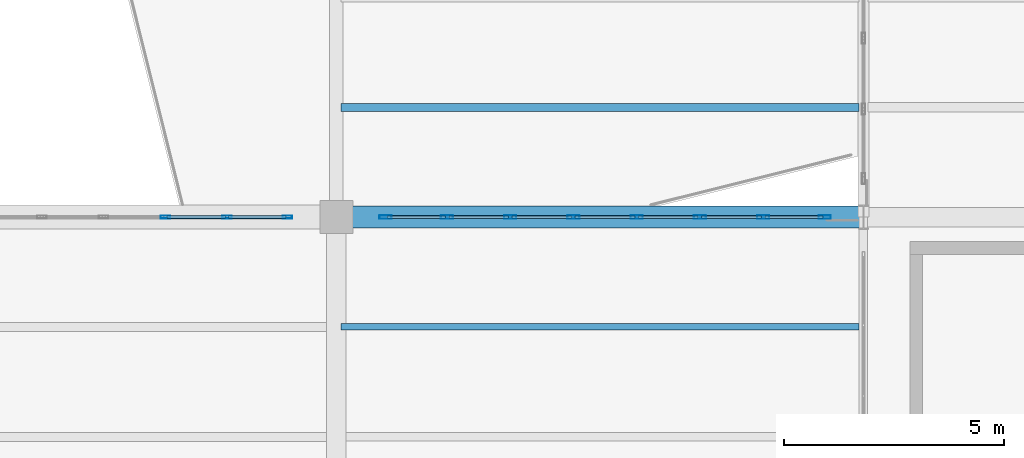
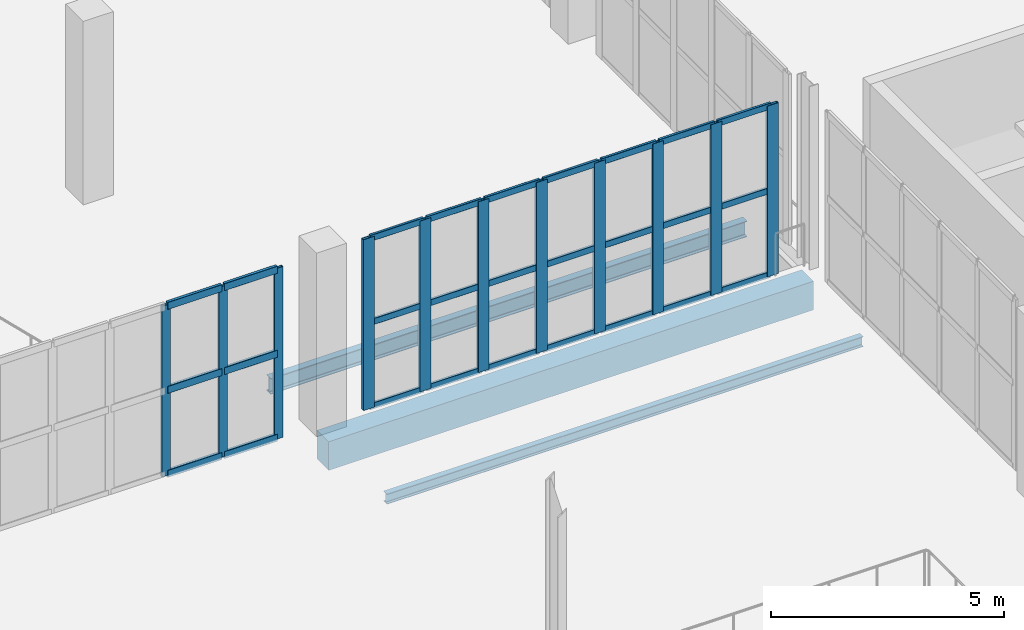
# One storey, part 33 of 136: 38 members, 3 beams, 2 elements without a shape of their own.
"""IFC4 building model written with IfcOpenShell, lengths in metres."""

import ifcopenshell
import ifcopenshell.guid

model = None  # the IFC model being written
_history = None  # IfcOwnerHistory: only IFC2X3 demands one
_inside = {}  # id of a spatial element -> (the spatial element, [elements in it])
_under = {}  # id of a project, library or spatial element -> (it, [spatial elements below it])
_declared = {}  # id of a project -> (the project, [libraries it declares])
_typed = {}  # id of a type object -> (the type object, [elements of that type])
_made_of = {}  # id of a material, layer set ... -> (it, [elements and type objects made of it])


def new_model(schema):
    """Start an empty IFC model of exactly this schema.

    Asked for "IFC4X3", IfcOpenShell would pick the latest addendum, in which some entities
    have other attributes; the version numbers below select the first issue.
    IFC2X3 requires an IfcOwnerHistory on every rooted entity: one is made here for all.
    """
    global model, _history
    if schema == "IFC4X3":
        model = ifcopenshell.file(schema_version=(4, 3, 0, 0))
    else:
        model = ifcopenshell.file(schema=schema)
    _inside.clear()
    _under.clear()
    _declared.clear()
    _typed.clear()
    _made_of.clear()
    _history = None
    if model.schema == "IFC2X3":
        org = make("IfcOrganization", Name="unknown")
        user = make(
            "IfcPersonAndOrganization",
            ThePerson=make("IfcPerson", FamilyName="unknown"),
            TheOrganization=org,
        )
        app = make(
            "IfcApplication",
            ApplicationDeveloper=org,
            Version="unknown",
            ApplicationFullName="unknown",
            ApplicationIdentifier="unknown",
        )
        _history = make(
            "IfcOwnerHistory",
            OwningUser=user,
            OwningApplication=app,
            ChangeAction="ADDED",
            CreationDate=0,
        )
    return model


def make(cls, **values):
    """One entity of the class cls with the attributes given. An attribute that is None is left unset."""
    return model.create_entity(
        cls, **{name: value for name, value in values.items() if value is not None}
    )


def rooted(cls, **values):
    """An entity with a GlobalId (a new one), such as an element, a storey or a relation."""
    return make(cls, GlobalId=ifcopenshell.guid.new(), OwnerHistory=_history, **values)


def si_unit(unit_type, name, prefix=None):
    """IfcSIUnit, for example si_unit("LENGTHUNIT", "METRE", prefix="MILLI")."""
    return make("IfcSIUnit", UnitType=unit_type, Prefix=prefix, Name=name)


def assignment(units):
    """IfcUnitAssignment: the units of a project."""
    return None if units is None else make("IfcUnitAssignment", Units=units)


def point(xyz):
    """IfcCartesianPoint."""
    return None if xyz is None else make("IfcCartesianPoint", Coordinates=xyz)


def direction(xyz):
    """IfcDirection."""
    return None if xyz is None else make("IfcDirection", DirectionRatios=xyz)


def frame(location, z_axis=None, x_axis=None):
    """IfcAxis2Placement3D, a coordinate frame: its origin and axes. An axis left out is left unset."""
    return make(
        "IfcAxis2Placement3D",
        Location=point(location),
        Axis=direction(z_axis),
        RefDirection=direction(x_axis),
    )


def frame_2d(location, x_axis=None):
    """IfcAxis2Placement2D, a coordinate frame in the plane: its origin and x axis."""
    return make(
        "IfcAxis2Placement2D", Location=point(location), RefDirection=direction(x_axis)
    )


def origin():
    """The frame at (0, 0, 0) with its axes left unset."""
    return frame((0.0, 0.0, 0.0))


def origin_2d():
    """The frame at (0, 0) in the plane with its x axis left unset."""
    return frame_2d((0.0, 0.0))


def place(relative_to, where):
    """IfcLocalPlacement: puts the frame where relative to a parent placement (None: the world)."""
    return make(
        "IfcLocalPlacement", PlacementRelTo=relative_to, RelativePlacement=where
    )


def context(
    kind, dimensions, precision=None, world=None, true_north=None, identifier=None
):
    """IfcGeometricRepresentationContext, for example the 3D "Model" context."""
    return make(
        "IfcGeometricRepresentationContext",
        ContextIdentifier=identifier,
        ContextType=kind,
        CoordinateSpaceDimension=dimensions,
        Precision=precision,
        WorldCoordinateSystem=world,
        TrueNorth=true_north,
    )


def subcontext(parent, identifier, kind, view, scale=None):
    """IfcGeometricRepresentationSubContext, for example "Body" below "Model"."""
    return make(
        "IfcGeometricRepresentationSubContext",
        ContextIdentifier=identifier,
        ContextType=kind,
        ParentContext=parent,
        TargetScale=scale,
        TargetView=view,
    )


def project(units=None, contexts=None):
    """IfcProject with its units and contexts."""
    return rooted(
        "IfcProject",
        Name="project",
        RepresentationContexts=contexts,
        UnitsInContext=assignment(units),
    )


def spatial(cls, under=None, at=None, **own):
    """A site, building, storey or space (cls), placed at a placement, below another one or the project."""
    s = rooted(cls, ObjectPlacement=at, **own)
    if under is not None:
        _under.setdefault(under.id(), (under, []))[1].append(s)
    return s


def profile(cls, at=None, kind="AREA", **sizes):
    """A parametric profile (cls). Its sizes go by their IFC names, for example OverallWidth=200.0."""
    return make(cls, ProfileType=kind, Position=at, **sizes)


def rectangle(**sizes):
    """IfcRectangleProfileDef."""
    return profile("IfcRectangleProfileDef", **sizes)


def hollow_rectangle(**sizes):
    """IfcRectangleHollowProfileDef."""
    return profile("IfcRectangleHollowProfileDef", **sizes)


def i_section(**sizes):
    """IfcIShapeProfileDef."""
    return profile("IfcIShapeProfileDef", **sizes)


def extrude(swept, where, along, depth):
    """IfcExtrudedAreaSolid: the profile swept, set in the frame where, extruded along a direction by depth."""
    return make(
        "IfcExtrudedAreaSolid",
        SweptArea=swept,
        Position=where,
        ExtrudedDirection=direction(along),
        Depth=depth,
    )


def shape(context_of_items, identifier, shape_type, items):
    """IfcShapeRepresentation: the items that make up one representation, for example the "Body"."""
    return make(
        "IfcShapeRepresentation",
        ContextOfItems=context_of_items,
        RepresentationIdentifier=identifier,
        RepresentationType=shape_type,
        Items=items,
    )


def material(Name=None, Category=None):
    """IfcMaterial."""
    return make("IfcMaterial", Name=Name, Category=Category)


def layer(
    of_material, thickness, ventilated=None, Name=None, Category=None, Priority=None
):
    """IfcMaterialLayer: one layer of a wall or slab, of a material (None: an air gap)."""
    return make(
        "IfcMaterialLayer",
        Material=of_material,
        LayerThickness=thickness,
        IsVentilated=ventilated,
        Name=Name,
        Category=Category,
        Priority=Priority,
    )


def layer_set(layers, Name=None):
    """IfcMaterialLayerSet."""
    return make("IfcMaterialLayerSet", MaterialLayers=layers, LayerSetName=Name)


def material_profile(
    of_material, cross_section, Name=None, Category=None, Priority=None
):
    """IfcMaterialProfile: a cross section and its material."""
    return make(
        "IfcMaterialProfile",
        Name=Name,
        Material=of_material,
        Profile=cross_section,
        Priority=Priority,
        Category=Category,
    )


def profile_set(profiles, Name=None, composite=None):
    """IfcMaterialProfileSet."""
    return make(
        "IfcMaterialProfileSet",
        Name=Name,
        MaterialProfiles=profiles,
        CompositeProfile=composite,
    )


def made_of(thing, what):
    """Note that an element or type object is made of a material, layer set ...; save() writes the relation."""
    if what is not None:
        _made_of.setdefault(what.id(), (what, []))[1].append(thing)
    return thing


def type_object(cls, material=None, **own):
    """A type object (cls), such as IfcWallType, which elements share."""
    return made_of(rooted(cls, **own), material)


def element(
    cls,
    number,
    at=None,
    inside=None,
    cuts=None,
    type_object=None,
    material=None,
    context=None,
    identifier="Body",
    shape_type=None,
    held_by="IfcProductDefinitionShape",
    body=None,
    shapes=None,
    **own,
):
    """One element of the class cls, such as IfcWall. Its Tag is "e" and its number.

    at: its placement. inside: the storey or other place that contains it. cuts: it is an
    opening in that element (IfcRelVoidsElement). A single representation is given by context,
    identifier, shape_type and body (its items); several are given by shapes. held_by: the class
    of the entity that holds the representations. save() writes the other relations.
    """
    e = rooted(cls, Tag="e%d" % number, ObjectPlacement=at, **own)
    if body is not None:
        shapes = [shape(context, identifier, shape_type, body)]
    if shapes is not None:
        e.Representation = make(held_by, Representations=shapes)
    if inside is not None:
        _inside.setdefault(inside.id(), (inside, []))[1].append(e)
    if cuts is not None:
        rooted(
            "IfcRelVoidsElement", RelatingBuildingElement=cuts, RelatedOpeningElement=e
        )
    if type_object is not None:
        _typed.setdefault(type_object.id(), (type_object, []))[1].append(e)
    return made_of(e, material)


def aggregate(whole, parts):
    """IfcRelAggregates: a whole, such as a stair, and the parts it consists of."""
    return rooted("IfcRelAggregates", RelatingObject=whole, RelatedObjects=parts)


def save(model, path):
    """Write the relations noted so far, then the file.

    IfcRelAggregates (storeys below a building ...), IfcRelContainedInSpatialStructure (elements
    in a storey), IfcRelDefinesByType, IfcRelAssociatesMaterial and IfcRelDeclares: one each for
    every whole, place, type object, material and project.
    """
    for whole, parts in _under.values():
        aggregate(whole, parts)
    for where, things in _inside.values():
        rooted(
            "IfcRelContainedInSpatialStructure",
            RelatedElements=things,
            RelatingStructure=where,
        )
    for kind, things in _typed.values():
        rooted("IfcRelDefinesByType", RelatedObjects=things, RelatingType=kind)
    for what, things in _made_of.values():
        rooted("IfcRelAssociatesMaterial", RelatedObjects=things, RelatingMaterial=what)
    for by, libraries in _declared.values():
        rooted("IfcRelDeclares", RelatingContext=by, RelatedDefinitions=libraries)
    model.write(path)


model = new_model("IFC4")

# Units and contexts
model_context = context("Model", 3, precision=1e-05, world=origin(), true_north=direction((0.0, 1.0)))
body_context = subcontext(model_context, "Body", "Model", "MODEL_VIEW")
ifc_project = project(units=[si_unit("LENGTHUNIT", "METRE"), si_unit("AREAUNIT", "SQUARE_METRE"), si_unit("VOLUMEUNIT", "CUBIC_METRE"), si_unit("PLANEANGLEUNIT", "RADIAN"), si_unit("MASSUNIT", "GRAM", prefix="KILO")], contexts=[model_context])

# Site, building, storey
site_placement = place(None, origin())
site = spatial("IfcSite", under=ifc_project, at=site_placement, CompositionType="ELEMENT")
building_placement = place(site_placement, origin())
building = spatial("IfcBuilding", under=site, at=building_placement, Name="Brinegate Civic Arena", CompositionType="ELEMENT")
storey_placement = place(building_placement, frame((0.0, 0.0, 5.39990234375)))
storey = spatial("IfcBuildingStorey", under=building, at=storey_placement, Name="L01", CompositionType="ELEMENT", Elevation=5.39990234375)

# Curtain wall, members
ifc_material_1 = material(Name="Marine grade aluminium", Category="aluminium")
ifc_layer = layer(ifc_material_1, 0.18505859375, Name="Marine grade aluminium")
ifc_layer_set = layer_set([ifc_layer], Name="Marine grade aluminium")
curtain_wall_type = type_object("IfcCurtainWallType", Name="CW-WING-GLAZED-03", PredefinedType="USERDEFINED", material=ifc_layer_set)
curtain_wall_1_placement = place(storey_placement, origin())
curtain_wall_1 = element("IfcCurtainWall", 1, at=curtain_wall_1_placement, inside=storey, type_object=curtain_wall_type, Name="Curtain Wall CWA-016", ObjectType="GLAZED CURTAIN WALL", PredefinedType="USERDEFINED")
ifc_material_profile_1 = material_profile(ifc_material_1, hollow_rectangle(XDim=0.06494140625, YDim=0.219970703125, WallThickness=0.006103515625, InnerFilletRadius=0.00390625, OuterFilletRadius=0.008056640625, at=origin_2d()), Name="MUL65X220")
ifc_profile_set_1 = profile_set([ifc_material_profile_1], Name="Marine grade aluminium")
member_type_1 = type_object("IfcMemberType", Name="CW-MULLION-65X220", PredefinedType="MULLION", material=ifc_profile_set_1)
member_1_placement = place(storey_placement, frame((32.108642578125, 52.0, 0.0), z_axis=(0.0, 0.0, 1.0), x_axis=(0.0, 1.0, 0.0)))
member_1 = element("IfcMember", 2, at=member_1_placement, type_object=member_type_1, Name="CWA-016 mullion 6", PredefinedType="MULLION", context=body_context, shape_type="SweptSolid", body=[
    extrude(hollow_rectangle(XDim=0.06494140625, YDim=0.219970703125, WallThickness=0.006103515625, InnerFilletRadius=0.00390625, OuterFilletRadius=0.008056640625, at=origin_2d()), origin(), (0.0, 0.0, 1.0), 4.47021484375),
])
member_2_placement = place(storey_placement, frame((33.514404296875, 52.0, 0.0), z_axis=(0.0, 0.0, 1.0), x_axis=(0.0, 1.0, 0.0)))
member_2 = element("IfcMember", 3, at=member_2_placement, type_object=member_type_1, Name="CWA-016 mullion 7", PredefinedType="MULLION", context=body_context, shape_type="SweptSolid", body=[
    extrude(hollow_rectangle(XDim=0.06494140625, YDim=0.219970703125, WallThickness=0.006103515625, InnerFilletRadius=0.00390625, OuterFilletRadius=0.008056640625, at=origin_2d()), origin(), (0.0, 0.0, 1.0), 4.47021484375),
])
member_3_placement = place(storey_placement, frame((34.887451171875, 52.0, 0.0), z_axis=(0.0, 0.0, 1.0), x_axis=(0.0, 1.0, 0.0)))
member_3 = element("IfcMember", 4, at=member_3_placement, type_object=member_type_1, Name="CWA-016 mullion 8", PredefinedType="MULLION", context=body_context, shape_type="SweptSolid", body=[
    extrude(hollow_rectangle(XDim=0.06494140625, YDim=0.219970703125, WallThickness=0.006103515625, InnerFilletRadius=0.00390625, OuterFilletRadius=0.008056640625, at=origin_2d()), origin(), (0.0, 0.0, 1.0), 4.47021484375),
])

curtain_wall_2_placement = place(storey_placement, origin())
curtain_wall_2 = element("IfcCurtainWall", 5, at=curtain_wall_2_placement, inside=storey, type_object=curtain_wall_type, Name="Curtain Wall CWA-018", ObjectType="GLAZED CURTAIN WALL", PredefinedType="USERDEFINED")
ifc_material_profile_2 = material_profile(ifc_material_1, hollow_rectangle(XDim=0.080078125, YDim=0.280029296875, WallThickness=0.007080078125, InnerFilletRadius=0.0048828125, OuterFilletRadius=0.010009765625, at=origin_2d()), Name="MUL80X280")
ifc_profile_set_2 = profile_set([ifc_material_profile_2], Name="Marine grade aluminium")
member_type_2 = type_object("IfcMemberType", Name="CW-MULLION-80X280", PredefinedType="MULLION", material=ifc_profile_set_2)
member_4_placement = place(storey_placement, frame((37.1201171875, 52.0, 0.0), z_axis=(0.0, 0.0, 1.0), x_axis=(0.0, 1.0, 0.0)))
member_4 = element("IfcMember", 6, at=member_4_placement, type_object=member_type_2, Name="CWA-018 mullion 1", PredefinedType="MULLION", context=body_context, shape_type="SweptSolid", body=[
    extrude(hollow_rectangle(XDim=0.080078125, YDim=0.280029296875, WallThickness=0.007080078125, InnerFilletRadius=0.0048828125, OuterFilletRadius=0.010009765625, at=origin_2d()), origin(), (0.0, 0.0, 1.0), 4.47021484375),
])
member_5_placement = place(storey_placement, frame((38.519775390625, 52.0, 0.0), z_axis=(0.0, 0.0, 1.0), x_axis=(0.0, 1.0, 0.0)))
member_5 = element("IfcMember", 7, at=member_5_placement, type_object=member_type_2, Name="CWA-018 mullion 2", PredefinedType="MULLION", context=body_context, shape_type="SweptSolid", body=[
    extrude(hollow_rectangle(XDim=0.080078125, YDim=0.280029296875, WallThickness=0.007080078125, InnerFilletRadius=0.0048828125, OuterFilletRadius=0.010009765625, at=origin_2d()), origin(), (0.0, 0.0, 1.0), 4.47021484375),
])
member_6_placement = place(storey_placement, frame((39.95947265625, 52.0, 0.0), z_axis=(0.0, 0.0, 1.0), x_axis=(0.0, 1.0, 0.0)))
member_6 = element("IfcMember", 8, at=member_6_placement, type_object=member_type_2, Name="CWA-018 mullion 3", PredefinedType="MULLION", context=body_context, shape_type="SweptSolid", body=[
    extrude(hollow_rectangle(XDim=0.080078125, YDim=0.280029296875, WallThickness=0.007080078125, InnerFilletRadius=0.0048828125, OuterFilletRadius=0.010009765625, at=origin_2d()), origin(), (0.0, 0.0, 1.0), 4.47021484375),
])
member_7_placement = place(storey_placement, frame((41.399169921875, 52.0, 0.0), z_axis=(0.0, 0.0, 1.0), x_axis=(0.0, 1.0, 0.0)))
member_7 = element("IfcMember", 9, at=member_7_placement, type_object=member_type_2, Name="CWA-018 mullion 4", PredefinedType="MULLION", context=body_context, shape_type="SweptSolid", body=[
    extrude(hollow_rectangle(XDim=0.080078125, YDim=0.280029296875, WallThickness=0.007080078125, InnerFilletRadius=0.0048828125, OuterFilletRadius=0.010009765625, at=origin_2d()), origin(), (0.0, 0.0, 1.0), 4.47021484375),
])
member_8_placement = place(storey_placement, frame((42.8388671875, 52.0, 0.0), z_axis=(0.0, 0.0, 1.0), x_axis=(0.0, 1.0, 0.0)))
member_8 = element("IfcMember", 10, at=member_8_placement, type_object=member_type_2, Name="CWA-018 mullion 5", PredefinedType="MULLION", context=body_context, shape_type="SweptSolid", body=[
    extrude(hollow_rectangle(XDim=0.080078125, YDim=0.280029296875, WallThickness=0.007080078125, InnerFilletRadius=0.0048828125, OuterFilletRadius=0.010009765625, at=origin_2d()), origin(), (0.0, 0.0, 1.0), 4.47021484375),
])
member_9_placement = place(storey_placement, frame((44.278564453125, 52.0, 0.0), z_axis=(0.0, 0.0, 1.0), x_axis=(0.0, 1.0, 0.0)))
member_9 = element("IfcMember", 11, at=member_9_placement, type_object=member_type_2, Name="CWA-018 mullion 6", PredefinedType="MULLION", context=body_context, shape_type="SweptSolid", body=[
    extrude(hollow_rectangle(XDim=0.080078125, YDim=0.280029296875, WallThickness=0.007080078125, InnerFilletRadius=0.0048828125, OuterFilletRadius=0.010009765625, at=origin_2d()), origin(), (0.0, 0.0, 1.0), 4.47021484375),
])
member_10_placement = place(storey_placement, frame((45.71826171875, 52.0, 0.0), z_axis=(0.0, 0.0, 1.0), x_axis=(0.0, 1.0, 0.0)))
member_10 = element("IfcMember", 12, at=member_10_placement, type_object=member_type_2, Name="CWA-018 mullion 7", PredefinedType="MULLION", context=body_context, shape_type="SweptSolid", body=[
    extrude(hollow_rectangle(XDim=0.080078125, YDim=0.280029296875, WallThickness=0.007080078125, InnerFilletRadius=0.0048828125, OuterFilletRadius=0.010009765625, at=origin_2d()), origin(), (0.0, 0.0, 1.0), 4.47021484375),
])
member_11_placement = place(storey_placement, frame((47.117919921875, 52.0, 0.0), z_axis=(0.0, 0.0, 1.0), x_axis=(0.0, 1.0, 0.0)))
member_11 = element("IfcMember", 13, at=member_11_placement, type_object=member_type_2, Name="CWA-018 mullion 8", PredefinedType="MULLION", context=body_context, shape_type="SweptSolid", body=[
    extrude(hollow_rectangle(XDim=0.080078125, YDim=0.280029296875, WallThickness=0.007080078125, InnerFilletRadius=0.0048828125, OuterFilletRadius=0.010009765625, at=origin_2d()), origin(), (0.0, 0.0, 1.0), 4.47021484375),
])
ifc_material_profile_3 = material_profile(ifc_material_1, hollow_rectangle(XDim=0.06494140625, YDim=0.1650390625, WallThickness=0.0048828125, InnerFilletRadius=0.00390625, OuterFilletRadius=0.008056640625, at=origin_2d()), Name="TRN65X165")
ifc_profile_set_3 = profile_set([ifc_material_profile_3], Name="Marine grade aluminium")
member_type_3 = type_object("IfcMemberType", Name="CW-TRANSOM-65X165", PredefinedType="USERDEFINED", material=ifc_profile_set_3)
member_12_placement = place(storey_placement, frame((37.159912109375, 52.0, 0.03271484375), z_axis=(1.0, 0.0, 0.0), x_axis=(0.0, 1.0, 0.0)))
member_12 = element("IfcMember", 14, at=member_12_placement, type_object=member_type_3, Name="CWA-018 transom 1.1", ObjectType="TRANSOM", PredefinedType="USERDEFINED", context=body_context, shape_type="SweptSolid", body=[
    extrude(hollow_rectangle(XDim=0.06494140625, YDim=0.1650390625, WallThickness=0.0048828125, InnerFilletRadius=0.00390625, OuterFilletRadius=0.008056640625, at=origin_2d()), origin(), (0.0, 0.0, 1.0), 1.31982421875),
])
member_13_placement = place(storey_placement, frame((37.159912109375, 52.0, 2.235107421875), z_axis=(1.0, 0.0, 0.0), x_axis=(0.0, 1.0, 0.0)))
member_13 = element("IfcMember", 15, at=member_13_placement, type_object=member_type_3, Name="CWA-018 transom 1.2", ObjectType="TRANSOM", PredefinedType="USERDEFINED", context=body_context, shape_type="SweptSolid", body=[
    extrude(hollow_rectangle(XDim=0.06494140625, YDim=0.1650390625, WallThickness=0.0048828125, InnerFilletRadius=0.00390625, OuterFilletRadius=0.008056640625, at=origin_2d()), origin(), (0.0, 0.0, 1.0), 1.31982421875),
])
member_14_placement = place(storey_placement, frame((37.159912109375, 52.0, 4.4375), z_axis=(1.0, 0.0, 0.0), x_axis=(0.0, 1.0, 0.0)))
member_14 = element("IfcMember", 16, at=member_14_placement, type_object=member_type_3, Name="CWA-018 transom 1.3", ObjectType="TRANSOM", PredefinedType="USERDEFINED", context=body_context, shape_type="SweptSolid", body=[
    extrude(hollow_rectangle(XDim=0.06494140625, YDim=0.1650390625, WallThickness=0.0048828125, InnerFilletRadius=0.00390625, OuterFilletRadius=0.008056640625, at=origin_2d()), origin(), (0.0, 0.0, 1.0), 1.31982421875),
])
member_15_placement = place(storey_placement, frame((38.559814453125, 52.0, 0.03271484375), z_axis=(1.0, 0.0, 0.0), x_axis=(0.0, 1.0, 0.0)))
member_15 = element("IfcMember", 17, at=member_15_placement, type_object=member_type_3, Name="CWA-018 transom 2.1", ObjectType="TRANSOM", PredefinedType="USERDEFINED", context=body_context, shape_type="SweptSolid", body=[
    extrude(hollow_rectangle(XDim=0.06494140625, YDim=0.1650390625, WallThickness=0.0048828125, InnerFilletRadius=0.00390625, OuterFilletRadius=0.008056640625, at=origin_2d()), origin(), (0.0, 0.0, 1.0), 1.359619140625),
])
member_16_placement = place(storey_placement, frame((38.559814453125, 52.0, 2.235107421875), z_axis=(1.0, 0.0, 0.0), x_axis=(0.0, 1.0, 0.0)))
member_16 = element("IfcMember", 18, at=member_16_placement, type_object=member_type_3, Name="CWA-018 transom 2.2", ObjectType="TRANSOM", PredefinedType="USERDEFINED", context=body_context, shape_type="SweptSolid", body=[
    extrude(hollow_rectangle(XDim=0.06494140625, YDim=0.1650390625, WallThickness=0.0048828125, InnerFilletRadius=0.00390625, OuterFilletRadius=0.008056640625, at=origin_2d()), origin(), (0.0, 0.0, 1.0), 1.359619140625),
])
member_17_placement = place(storey_placement, frame((38.559814453125, 52.0, 4.4375), z_axis=(1.0, 0.0, 0.0), x_axis=(0.0, 1.0, 0.0)))
member_17 = element("IfcMember", 19, at=member_17_placement, type_object=member_type_3, Name="CWA-018 transom 2.3", ObjectType="TRANSOM", PredefinedType="USERDEFINED", context=body_context, shape_type="SweptSolid", body=[
    extrude(hollow_rectangle(XDim=0.06494140625, YDim=0.1650390625, WallThickness=0.0048828125, InnerFilletRadius=0.00390625, OuterFilletRadius=0.008056640625, at=origin_2d()), origin(), (0.0, 0.0, 1.0), 1.359619140625),
])
member_18_placement = place(storey_placement, frame((39.99951171875, 52.0, 0.03271484375), z_axis=(1.0, 0.0, 0.0), x_axis=(0.0, 1.0, 0.0)))
member_18 = element("IfcMember", 20, at=member_18_placement, type_object=member_type_3, Name="CWA-018 transom 3.1", ObjectType="TRANSOM", PredefinedType="USERDEFINED", context=body_context, shape_type="SweptSolid", body=[
    extrude(hollow_rectangle(XDim=0.06494140625, YDim=0.1650390625, WallThickness=0.0048828125, InnerFilletRadius=0.00390625, OuterFilletRadius=0.008056640625, at=origin_2d()), origin(), (0.0, 0.0, 1.0), 1.359619140625),
])
member_19_placement = place(storey_placement, frame((39.99951171875, 52.0, 2.235107421875), z_axis=(1.0, 0.0, 0.0), x_axis=(0.0, 1.0, 0.0)))
member_19 = element("IfcMember", 21, at=member_19_placement, type_object=member_type_3, Name="CWA-018 transom 3.2", ObjectType="TRANSOM", PredefinedType="USERDEFINED", context=body_context, shape_type="SweptSolid", body=[
    extrude(hollow_rectangle(XDim=0.06494140625, YDim=0.1650390625, WallThickness=0.0048828125, InnerFilletRadius=0.00390625, OuterFilletRadius=0.008056640625, at=origin_2d()), origin(), (0.0, 0.0, 1.0), 1.359619140625),
])
member_20_placement = place(storey_placement, frame((39.99951171875, 52.0, 4.4375), z_axis=(1.0, 0.0, 0.0), x_axis=(0.0, 1.0, 0.0)))
member_20 = element("IfcMember", 22, at=member_20_placement, type_object=member_type_3, Name="CWA-018 transom 3.3", ObjectType="TRANSOM", PredefinedType="USERDEFINED", context=body_context, shape_type="SweptSolid", body=[
    extrude(hollow_rectangle(XDim=0.06494140625, YDim=0.1650390625, WallThickness=0.0048828125, InnerFilletRadius=0.00390625, OuterFilletRadius=0.008056640625, at=origin_2d()), origin(), (0.0, 0.0, 1.0), 1.359619140625),
])
member_21_placement = place(storey_placement, frame((41.439208984375, 52.0, 0.03271484375), z_axis=(1.0, 0.0, 0.0), x_axis=(0.0, 1.0, 0.0)))
member_21 = element("IfcMember", 23, at=member_21_placement, type_object=member_type_3, Name="CWA-018 transom 4.1", ObjectType="TRANSOM", PredefinedType="USERDEFINED", context=body_context, shape_type="SweptSolid", body=[
    extrude(hollow_rectangle(XDim=0.06494140625, YDim=0.1650390625, WallThickness=0.0048828125, InnerFilletRadius=0.00390625, OuterFilletRadius=0.008056640625, at=origin_2d()), origin(), (0.0, 0.0, 1.0), 1.359619140625),
])
member_22_placement = place(storey_placement, frame((41.439208984375, 52.0, 2.235107421875), z_axis=(1.0, 0.0, 0.0), x_axis=(0.0, 1.0, 0.0)))
member_22 = element("IfcMember", 24, at=member_22_placement, type_object=member_type_3, Name="CWA-018 transom 4.2", ObjectType="TRANSOM", PredefinedType="USERDEFINED", context=body_context, shape_type="SweptSolid", body=[
    extrude(hollow_rectangle(XDim=0.06494140625, YDim=0.1650390625, WallThickness=0.0048828125, InnerFilletRadius=0.00390625, OuterFilletRadius=0.008056640625, at=origin_2d()), origin(), (0.0, 0.0, 1.0), 1.359619140625),
])
member_23_placement = place(storey_placement, frame((41.439208984375, 52.0, 4.4375), z_axis=(1.0, 0.0, 0.0), x_axis=(0.0, 1.0, 0.0)))
member_23 = element("IfcMember", 25, at=member_23_placement, type_object=member_type_3, Name="CWA-018 transom 4.3", ObjectType="TRANSOM", PredefinedType="USERDEFINED", context=body_context, shape_type="SweptSolid", body=[
    extrude(hollow_rectangle(XDim=0.06494140625, YDim=0.1650390625, WallThickness=0.0048828125, InnerFilletRadius=0.00390625, OuterFilletRadius=0.008056640625, at=origin_2d()), origin(), (0.0, 0.0, 1.0), 1.359619140625),
])
member_24_placement = place(storey_placement, frame((42.87890625, 52.0, 0.03271484375), z_axis=(1.0, 0.0, 0.0), x_axis=(0.0, 1.0, 0.0)))
member_24 = element("IfcMember", 26, at=member_24_placement, type_object=member_type_3, Name="CWA-018 transom 5.1", ObjectType="TRANSOM", PredefinedType="USERDEFINED", context=body_context, shape_type="SweptSolid", body=[
    extrude(hollow_rectangle(XDim=0.06494140625, YDim=0.1650390625, WallThickness=0.0048828125, InnerFilletRadius=0.00390625, OuterFilletRadius=0.008056640625, at=origin_2d()), origin(), (0.0, 0.0, 1.0), 1.359619140625),
])
member_25_placement = place(storey_placement, frame((42.87890625, 52.0, 2.235107421875), z_axis=(1.0, 0.0, 0.0), x_axis=(0.0, 1.0, 0.0)))
member_25 = element("IfcMember", 27, at=member_25_placement, type_object=member_type_3, Name="CWA-018 transom 5.2", ObjectType="TRANSOM", PredefinedType="USERDEFINED", context=body_context, shape_type="SweptSolid", body=[
    extrude(hollow_rectangle(XDim=0.06494140625, YDim=0.1650390625, WallThickness=0.0048828125, InnerFilletRadius=0.00390625, OuterFilletRadius=0.008056640625, at=origin_2d()), origin(), (0.0, 0.0, 1.0), 1.359619140625),
])
member_26_placement = place(storey_placement, frame((42.87890625, 52.0, 4.4375), z_axis=(1.0, 0.0, 0.0), x_axis=(0.0, 1.0, 0.0)))
member_26 = element("IfcMember", 28, at=member_26_placement, type_object=member_type_3, Name="CWA-018 transom 5.3", ObjectType="TRANSOM", PredefinedType="USERDEFINED", context=body_context, shape_type="SweptSolid", body=[
    extrude(hollow_rectangle(XDim=0.06494140625, YDim=0.1650390625, WallThickness=0.0048828125, InnerFilletRadius=0.00390625, OuterFilletRadius=0.008056640625, at=origin_2d()), origin(), (0.0, 0.0, 1.0), 1.359619140625),
])
member_27_placement = place(storey_placement, frame((44.318603515625, 52.0, 0.03271484375), z_axis=(1.0, 0.0, 0.0), x_axis=(0.0, 1.0, 0.0)))
member_27 = element("IfcMember", 29, at=member_27_placement, type_object=member_type_3, Name="CWA-018 transom 6.1", ObjectType="TRANSOM", PredefinedType="USERDEFINED", context=body_context, shape_type="SweptSolid", body=[
    extrude(hollow_rectangle(XDim=0.06494140625, YDim=0.1650390625, WallThickness=0.0048828125, InnerFilletRadius=0.00390625, OuterFilletRadius=0.008056640625, at=origin_2d()), origin(), (0.0, 0.0, 1.0), 1.359619140625),
])
member_28_placement = place(storey_placement, frame((44.318603515625, 52.0, 2.235107421875), z_axis=(1.0, 0.0, 0.0), x_axis=(0.0, 1.0, 0.0)))
member_28 = element("IfcMember", 30, at=member_28_placement, type_object=member_type_3, Name="CWA-018 transom 6.2", ObjectType="TRANSOM", PredefinedType="USERDEFINED", context=body_context, shape_type="SweptSolid", body=[
    extrude(hollow_rectangle(XDim=0.06494140625, YDim=0.1650390625, WallThickness=0.0048828125, InnerFilletRadius=0.00390625, OuterFilletRadius=0.008056640625, at=origin_2d()), origin(), (0.0, 0.0, 1.0), 1.359619140625),
])
member_29_placement = place(storey_placement, frame((44.318603515625, 52.0, 4.4375), z_axis=(1.0, 0.0, 0.0), x_axis=(0.0, 1.0, 0.0)))
member_29 = element("IfcMember", 31, at=member_29_placement, type_object=member_type_3, Name="CWA-018 transom 6.3", ObjectType="TRANSOM", PredefinedType="USERDEFINED", context=body_context, shape_type="SweptSolid", body=[
    extrude(hollow_rectangle(XDim=0.06494140625, YDim=0.1650390625, WallThickness=0.0048828125, InnerFilletRadius=0.00390625, OuterFilletRadius=0.008056640625, at=origin_2d()), origin(), (0.0, 0.0, 1.0), 1.359619140625),
])
member_30_placement = place(storey_placement, frame((45.75830078125, 52.0, 0.03271484375), z_axis=(1.0, 0.0, 0.0), x_axis=(0.0, 1.0, 0.0)))
member_30 = element("IfcMember", 32, at=member_30_placement, type_object=member_type_3, Name="CWA-018 transom 7.1", ObjectType="TRANSOM", PredefinedType="USERDEFINED", context=body_context, shape_type="SweptSolid", body=[
    extrude(hollow_rectangle(XDim=0.06494140625, YDim=0.1650390625, WallThickness=0.0048828125, InnerFilletRadius=0.00390625, OuterFilletRadius=0.008056640625, at=origin_2d()), origin(), (0.0, 0.0, 1.0), 1.319580078125),
])
member_31_placement = place(storey_placement, frame((45.75830078125, 52.0, 2.235107421875), z_axis=(1.0, 0.0, 0.0), x_axis=(0.0, 1.0, 0.0)))
member_31 = element("IfcMember", 33, at=member_31_placement, type_object=member_type_3, Name="CWA-018 transom 7.2", ObjectType="TRANSOM", PredefinedType="USERDEFINED", context=body_context, shape_type="SweptSolid", body=[
    extrude(hollow_rectangle(XDim=0.06494140625, YDim=0.1650390625, WallThickness=0.0048828125, InnerFilletRadius=0.00390625, OuterFilletRadius=0.008056640625, at=origin_2d()), origin(), (0.0, 0.0, 1.0), 1.319580078125),
])
member_32_placement = place(storey_placement, frame((45.75830078125, 52.0, 4.4375), z_axis=(1.0, 0.0, 0.0), x_axis=(0.0, 1.0, 0.0)))
member_32 = element("IfcMember", 34, at=member_32_placement, type_object=member_type_3, Name="CWA-018 transom 7.3", ObjectType="TRANSOM", PredefinedType="USERDEFINED", context=body_context, shape_type="SweptSolid", body=[
    extrude(hollow_rectangle(XDim=0.06494140625, YDim=0.1650390625, WallThickness=0.0048828125, InnerFilletRadius=0.00390625, OuterFilletRadius=0.008056640625, at=origin_2d()), origin(), (0.0, 0.0, 1.0), 1.319580078125),
])
aggregate(curtain_wall_2, [member_4, member_5, member_6, member_7, member_8, member_9, member_10, member_11, member_12, member_13, member_14, member_15, member_16, member_17, member_18, member_19, member_20, member_21, member_22, member_23, member_24, member_25, member_26, member_27, member_28, member_29, member_30, member_31, member_32])

# Member
ifc_material_profile_4 = material_profile(ifc_material_1, hollow_rectangle(XDim=0.074951171875, YDim=0.18994140625, WallThickness=0.006103515625, InnerFilletRadius=0.00390625, OuterFilletRadius=0.008056640625, at=origin_2d()), Name="TRN75X190")
ifc_profile_set_4 = profile_set([ifc_material_profile_4], Name="Marine grade aluminium")
member_type_4 = type_object("IfcMemberType", Name="CW-TRANSOM-75X190", PredefinedType="USERDEFINED", material=ifc_profile_set_4)
member_33_placement = place(storey_placement, frame((32.14111328125, 52.0, 0.03759765625), z_axis=(1.0, 0.0, 0.0), x_axis=(0.0, 1.0, 0.0)))
member_33 = element("IfcMember", 35, at=member_33_placement, type_object=member_type_4, Name="CWA-016 transom 6.1", ObjectType="TRANSOM", PredefinedType="USERDEFINED", context=body_context, shape_type="SweptSolid", body=[
    extrude(hollow_rectangle(XDim=0.074951171875, YDim=0.18994140625, WallThickness=0.006103515625, InnerFilletRadius=0.00390625, OuterFilletRadius=0.008056640625, at=origin_2d()), origin(), (0.0, 0.0, 1.0), 1.340576171875),
])

member_34_placement = place(storey_placement, frame((32.14111328125, 52.0, 2.235107421875), z_axis=(1.0, 0.0, 0.0), x_axis=(0.0, 1.0, 0.0)))
member_34 = element("IfcMember", 36, at=member_34_placement, type_object=member_type_4, Name="CWA-016 transom 6.2", ObjectType="TRANSOM", PredefinedType="USERDEFINED", context=body_context, shape_type="SweptSolid", body=[
    extrude(hollow_rectangle(XDim=0.074951171875, YDim=0.18994140625, WallThickness=0.006103515625, InnerFilletRadius=0.00390625, OuterFilletRadius=0.008056640625, at=origin_2d()), origin(), (0.0, 0.0, 1.0), 1.340576171875),
])

member_35_placement = place(storey_placement, frame((32.14111328125, 52.0, 4.4326171875), z_axis=(1.0, 0.0, 0.0), x_axis=(0.0, 1.0, 0.0)))
member_35 = element("IfcMember", 37, at=member_35_placement, type_object=member_type_4, Name="CWA-016 transom 6.3", ObjectType="TRANSOM", PredefinedType="USERDEFINED", context=body_context, shape_type="SweptSolid", body=[
    extrude(hollow_rectangle(XDim=0.074951171875, YDim=0.18994140625, WallThickness=0.006103515625, InnerFilletRadius=0.00390625, OuterFilletRadius=0.008056640625, at=origin_2d()), origin(), (0.0, 0.0, 1.0), 1.340576171875),
])

member_36_placement = place(storey_placement, frame((33.546875, 52.0, 0.03759765625), z_axis=(1.0, 0.0, 0.0), x_axis=(0.0, 1.0, 0.0)))
member_36 = element("IfcMember", 38, at=member_36_placement, type_object=member_type_4, Name="CWA-016 transom 7.1", ObjectType="TRANSOM", PredefinedType="USERDEFINED", context=body_context, shape_type="SweptSolid", body=[
    extrude(hollow_rectangle(XDim=0.074951171875, YDim=0.18994140625, WallThickness=0.006103515625, InnerFilletRadius=0.00390625, OuterFilletRadius=0.008056640625, at=origin_2d()), origin(), (0.0, 0.0, 1.0), 1.30810546875),
])

member_37_placement = place(storey_placement, frame((33.546875, 52.0, 2.235107421875), z_axis=(1.0, 0.0, 0.0), x_axis=(0.0, 1.0, 0.0)))
member_37 = element("IfcMember", 39, at=member_37_placement, type_object=member_type_4, Name="CWA-016 transom 7.2", ObjectType="TRANSOM", PredefinedType="USERDEFINED", context=body_context, shape_type="SweptSolid", body=[
    extrude(hollow_rectangle(XDim=0.074951171875, YDim=0.18994140625, WallThickness=0.006103515625, InnerFilletRadius=0.00390625, OuterFilletRadius=0.008056640625, at=origin_2d()), origin(), (0.0, 0.0, 1.0), 1.30810546875),
])

member_38_placement = place(storey_placement, frame((33.546875, 52.0, 4.4326171875), z_axis=(1.0, 0.0, 0.0), x_axis=(0.0, 1.0, 0.0)))
member_38 = element("IfcMember", 40, at=member_38_placement, type_object=member_type_4, Name="CWA-016 transom 7.3", ObjectType="TRANSOM", PredefinedType="USERDEFINED", context=body_context, shape_type="SweptSolid", body=[
    extrude(hollow_rectangle(XDim=0.074951171875, YDim=0.18994140625, WallThickness=0.006103515625, InnerFilletRadius=0.00390625, OuterFilletRadius=0.008056640625, at=origin_2d()), origin(), (0.0, 0.0, 1.0), 1.30810546875),
])

aggregate(curtain_wall_1, [member_1, member_2, member_3, member_33, member_34, member_35, member_36, member_37, member_38])

# Beams
ifc_material_2 = material(Name="Steel S355", Category="steel")
ifc_material_profile_5 = material_profile(ifc_material_2, i_section(OverallWidth=0.14794921875, OverallDepth=0.26611328125, WebThickness=0.008056640625, FlangeThickness=0.012939453125, FilletRadius=0.011962890625, at=origin_2d()), Name="W250X45")
ifc_profile_set_5 = profile_set([ifc_material_profile_5], Name="Steel S355")
beam_type_1 = type_object("IfcBeamType", Name="JOIST-W250X45", PredefinedType="JOIST", material=ifc_profile_set_5)
beam_1_placement = place(storey_placement, frame((36.10595703125, 49.5, -0.472900390625), z_axis=(1.0, 0.0, 0.0), x_axis=(0.0, 1.0, 0.0)))
element("IfcBeam", 41, at=beam_1_placement, inside=storey, type_object=beam_type_1, Name="Secondary Joist BM-L01-JX-03-04-3", PredefinedType="JOIST", context=body_context, shape_type="SweptSolid", body=[
    extrude(i_section(OverallWidth=0.14794921875, OverallDepth=0.26611328125, WebThickness=0.008056640625, FlangeThickness=0.012939453125, FilletRadius=0.011962890625, at=origin_2d()), origin(), (0.0, 0.0, 1.0), 11.7880859375),
])
ifc_material_profile_6 = material_profile(ifc_material_2, i_section(OverallWidth=0.179931640625, OverallDepth=0.4130859375, WebThickness=0.010009765625, FlangeThickness=0.01611328125, FilletRadius=0.013916015625, at=origin_2d()), Name="W410X75")
ifc_profile_set_6 = profile_set([ifc_material_profile_6], Name="Steel S355")
beam_type_2 = type_object("IfcBeamType", Name="JOIST-W410X75", PredefinedType="JOIST", material=ifc_profile_set_6)
beam_2_placement = place(storey_placement, frame((36.10595703125, 54.5, -0.5458984375), z_axis=(1.0, 0.0, 0.0), x_axis=(0.0, 1.0, 0.0)))
element("IfcBeam", 42, at=beam_2_placement, inside=storey, type_object=beam_type_2, Name="Secondary Joist BM-L01-JX-03-05-1", PredefinedType="JOIST", context=body_context, shape_type="SweptSolid", body=[
    extrude(i_section(OverallWidth=0.179931640625, OverallDepth=0.4130859375, WebThickness=0.010009765625, FlangeThickness=0.01611328125, FilletRadius=0.013916015625, at=origin_2d()), origin(), (0.0, 0.0, 1.0), 11.7880859375),
])
ifc_material_3 = material(Name="Concrete C50/60", Category="concrete")
ifc_material_profile_7 = material_profile(ifc_material_3, rectangle(XDim=0.5, YDim=0.75, at=origin_2d()), Name="RCB500X750")
ifc_profile_set_7 = profile_set([ifc_material_profile_7], Name="Concrete C50/60")
beam_type_3 = type_object("IfcBeamType", Name="RCG-500X750", PredefinedType="BEAM", material=ifc_profile_set_7)
beam_3_placement = place(storey_placement, frame((36.0, 52.0, -0.71484375), z_axis=(1.0, 0.0, 0.0), x_axis=(0.0, 1.0, 0.0)))
element("IfcBeam", 43, at=beam_3_placement, inside=storey, type_object=beam_type_3, Name="Floor Girder BM-L01-GX-03-05", PredefinedType="BEAM", context=body_context, shape_type="SweptSolid", body=[
    extrude(rectangle(XDim=0.5, YDim=0.75, at=origin_2d()), origin(), (0.0, 0.0, 1.0), 12.0),
])

save(model, "model.ifc")
